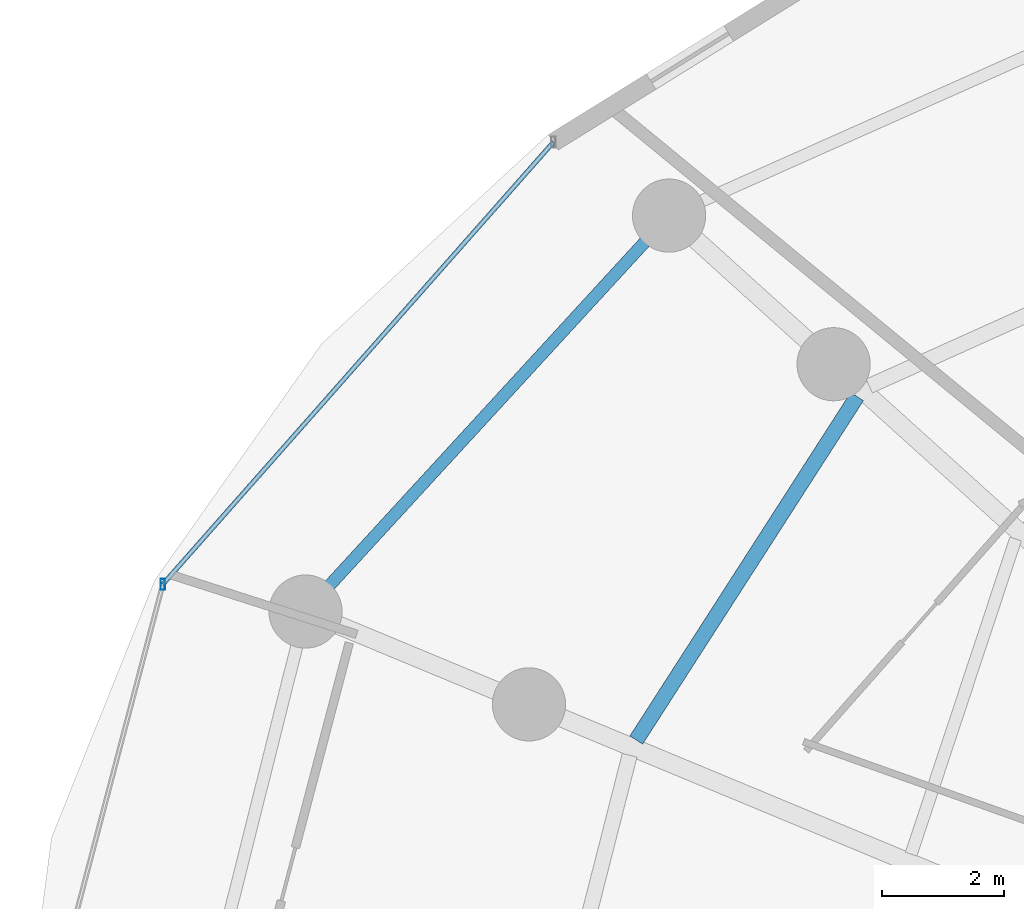
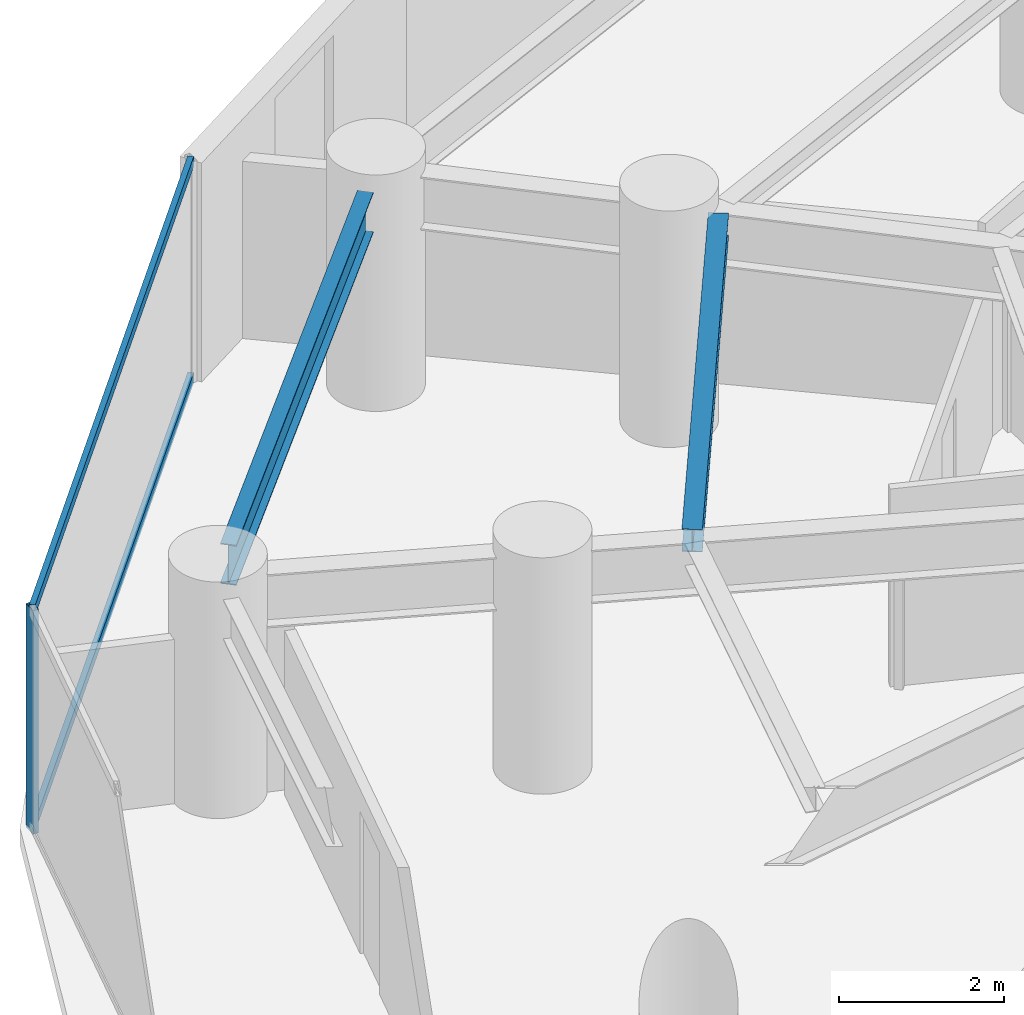
# One storey, part 15 of 30: 3 members, 2 beams, 1 element without a shape of its own.
"""IFC4 building model written with IfcOpenShell, lengths in metres."""

from ifc_helpers import new_model, si_unit, direction, frame, origin, origin_2d, place, context, subcontext, project, spatial, hollow_rectangle, i_section, extrude, material, material_profile, profile_set, type_object, element, aggregate, save


model = new_model("IFC4")

# Units and contexts
model_context = context("Model", 3, precision=1e-05, world=origin(), true_north=direction((0.0, 1.0)))
body_context = subcontext(model_context, "Body", "Model", "MODEL_VIEW")
ifc_project = project(units=[si_unit("LENGTHUNIT", "METRE"), si_unit("AREAUNIT", "SQUARE_METRE"), si_unit("VOLUMEUNIT", "CUBIC_METRE"), si_unit("PLANEANGLEUNIT", "RADIAN"), si_unit("MASSUNIT", "GRAM", prefix="KILO")], contexts=[model_context])

# Site, building, storey
site_placement = place(None, origin())
site = spatial("IfcSite", under=ifc_project, at=site_placement, CompositionType="ELEMENT")
building_placement = place(site_placement, origin())
building = spatial("IfcBuilding", under=site, at=building_placement, Name="Vorneva Point Tower", CompositionType="ELEMENT")
storey_placement = place(building_placement, frame((0.0, 0.0, 55.5)))
storey = spatial("IfcBuildingStorey", under=building, at=storey_placement, Name="L14", CompositionType="ELEMENT", Elevation=55.5)

# Beams
ifc_material_1 = material(Name="Steel S355", Category="steel")
ifc_material_profile_1 = material_profile(ifc_material_1, i_section(OverallWidth=0.2490234375, OverallDepth=0.333984375, WebThickness=0.008056640625, FlangeThickness=0.010986328125, at=origin_2d()), Name="35Sh1")
ifc_profile_set_1 = profile_set([ifc_material_profile_1], Name="Steel S355")
beam_type_1 = type_object("IfcBeamType", Name="BM-SEC-35Sh1", PredefinedType="BEAM", material=ifc_profile_set_1)
beam_1_placement = place(storey_placement, frame((22.08544921875, 37.631591796875, 3.072998046875), z_axis=(-0.540733638861, -0.8411938729, 0.0), x_axis=(0.8411938729, -0.540733638861, 0.0)))
element("IfcBeam", 1, at=beam_1_placement, inside=storey, type_object=beam_type_1, Name="L14 Secondary Floor Beam 1.07", PredefinedType="BEAM", context=body_context, shape_type="SweptSolid", body=[
    extrude(i_section(OverallWidth=0.2490234375, OverallDepth=0.333984375, WebThickness=0.008056640625, FlangeThickness=0.010986328125, at=origin_2d()), origin(), (0.0, 0.0, 1.0), 6.697021484375),
])
ifc_material_profile_2 = material_profile(ifc_material_1, i_section(OverallWidth=0.198974609375, OverallDepth=0.595947265625, WebThickness=0.010009765625, FlangeThickness=0.014892578125, at=origin_2d()), Name="60B1")
ifc_profile_set_2 = profile_set([ifc_material_profile_2], Name="Steel S355")
beam_type_2 = type_object("IfcBeamType", Name="BM-SPN-60B1", PredefinedType="SPANDREL", material=ifc_profile_set_2)
beam_2_placement = place(storey_placement, frame((18.60693359375, 40.1689453125, 2.94189453125), z_axis=(-0.676359049176, -0.736572085133, 0.0), x_axis=(0.736572085133, -0.676359049176, 0.0)))
element("IfcBeam", 2, at=beam_2_placement, inside=storey, type_object=beam_type_2, Name="L14 Perimeter Spandrel Ring Beam 07", PredefinedType="SPANDREL", context=body_context, shape_type="SweptSolid", body=[
    extrude(i_section(OverallWidth=0.198974609375, OverallDepth=0.595947265625, WebThickness=0.010009765625, FlangeThickness=0.014892578125, at=origin_2d()), origin(), (0.0, 0.0, 1.0), 7.64697265625),
])

# Curtain wall, members
ifc_material_2 = material(Name="Pale anodised aluminium", Category="aluminium")
curtain_wall_type = type_object("IfcCurtainWallType", Name="CW-HTL-SYS", PredefinedType="NOTDEFINED", material=ifc_material_2)
curtain_wall_placement = place(storey_placement, origin())
curtain_wall = element("IfcCurtainWall", 3, at=curtain_wall_placement, inside=storey, type_object=curtain_wall_type, Name="L14 Unitised Curtain Wall CW-L14-R03", PredefinedType="NOTDEFINED")
ifc_material_profile_3 = material_profile(ifc_material_2, hollow_rectangle(XDim=0.074951171875, YDim=0.179931640625, WallThickness=0.00390625, at=origin_2d()), Name="AL-MUL 180x75x4")
ifc_profile_set_3 = profile_set([ifc_material_profile_3], Name="Pale anodised aluminium")
member_type_1 = type_object("IfcMemberType", Name="CW-MUL-180", PredefinedType="MULLION", material=ifc_profile_set_3)
member_1_placement = place(storey_placement, frame((10.699462890625, 34.552978515625, -0.0400390625), z_axis=(0.0, 0.0, 1.0), x_axis=(1.0, 0.0, 0.0)))
member_1 = element("IfcMember", 4, at=member_1_placement, type_object=member_type_1, Name="CW-L14-R03 Mullion 02", PredefinedType="MULLION", context=body_context, shape_type="SweptSolid", body=[
    extrude(hollow_rectangle(XDim=0.074951171875, YDim=0.179931640625, WallThickness=0.00390625, at=origin_2d()), origin(), (0.0, 0.0, 1.0), 3.31005859375),
])
ifc_material_profile_4 = material_profile(ifc_material_2, hollow_rectangle(XDim=0.074951171875, YDim=0.14990234375, WallThickness=0.00390625, at=origin_2d()), Name="AL-TRN 150x75x4")
ifc_profile_set_4 = profile_set([ifc_material_profile_4], Name="Pale anodised aluminium")
member_type_2 = type_object("IfcMemberType", Name="CW-TRN-150", PredefinedType="USERDEFINED", material=ifc_profile_set_4)
member_2_placement = place(storey_placement, frame((17.10498046875, 41.8037109375, 0.02001953125), z_axis=(-0.662075539029, -0.749437109182, 0.0), x_axis=(0.749437109182, -0.662075539029, 0.0)))
member_2 = element("IfcMember", 5, at=member_2_placement, type_object=member_type_2, Name="CW-L14-R03 Transom 01.1", ObjectType="TRANSOM", PredefinedType="USERDEFINED", context=body_context, shape_type="SweptSolid", body=[
    extrude(hollow_rectangle(XDim=0.074951171875, YDim=0.14990234375, WallThickness=0.00390625, at=origin_2d()), origin(), (0.0, 0.0, 1.0), 9.6748046875),
])
member_3_placement = place(storey_placement, frame((17.10498046875, 41.8037109375, 3.219970703125), z_axis=(-0.662075539029, -0.749437109182, 0.0), x_axis=(0.749437109182, -0.662075539029, 0.0)))
member_3 = element("IfcMember", 6, at=member_3_placement, type_object=member_type_2, Name="CW-L14-R03 Transom 01.2", ObjectType="TRANSOM", PredefinedType="USERDEFINED", context=body_context, shape_type="SweptSolid", body=[
    extrude(hollow_rectangle(XDim=0.074951171875, YDim=0.14990234375, WallThickness=0.00390625, at=origin_2d()), origin(), (0.0, 0.0, 1.0), 9.6748046875),
])
aggregate(curtain_wall, [member_1, member_2, member_3])

save(model, "model.ifc")
